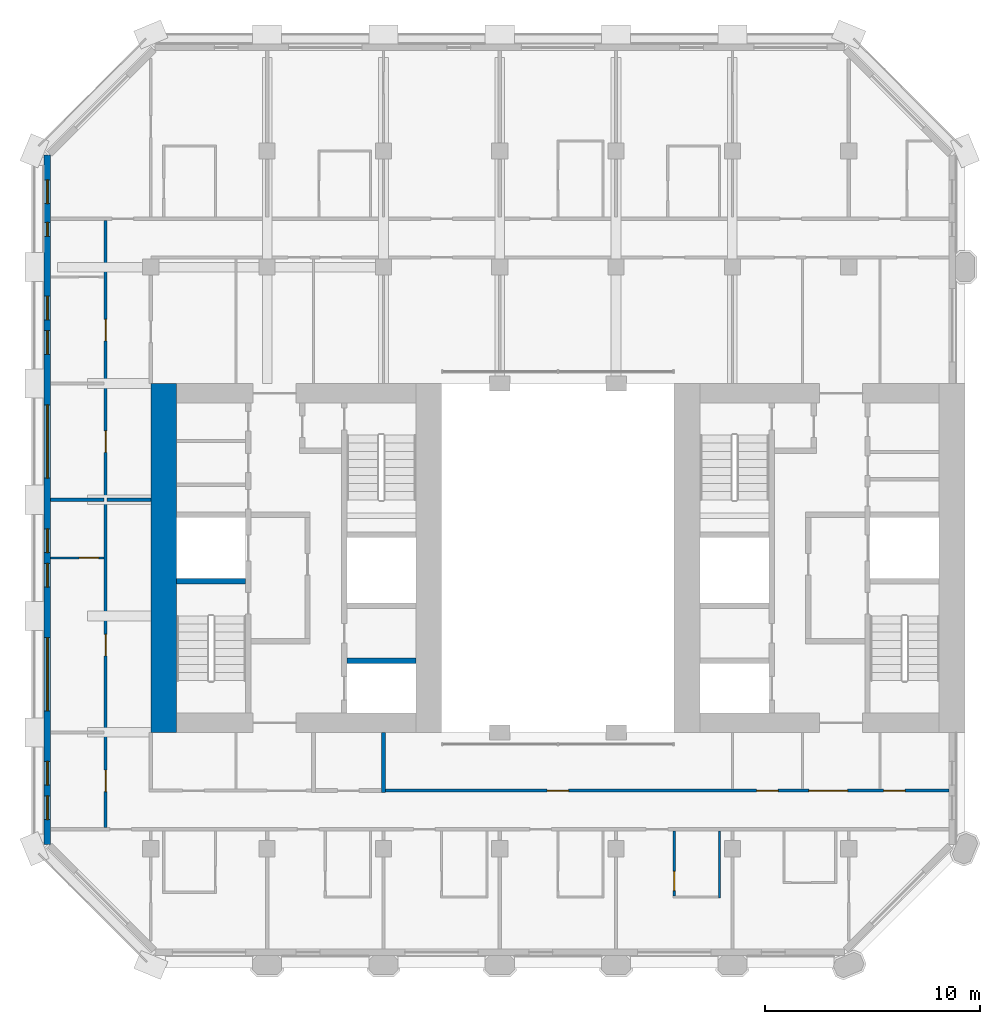
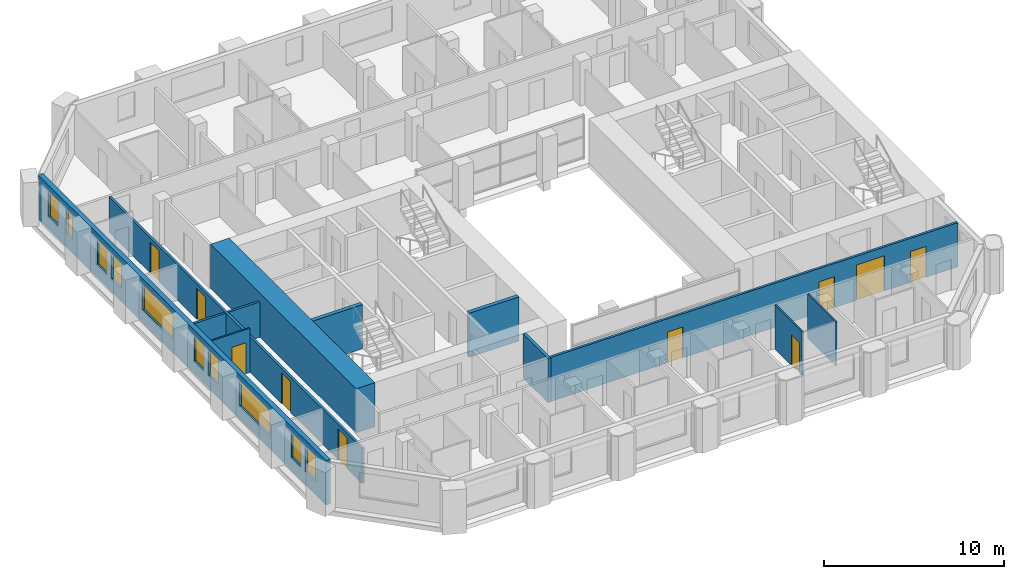
# One storey, part 7 of 14: 12 walls, 10 doors, 10 windows, 20 openings.
"""IFC4 building model written with IfcOpenShell, lengths in metres."""

from ifc_helpers import new_model, si_unit, direction, frame, frame_2d, origin, place, context, subcontext, project, spatial, rectangle, extrude, material, layer, layer_set, type_object, element, fill, save


model = new_model("IFC4")

# Units and contexts
model_context = context("Model", 3, precision=1e-05, world=origin(), true_north=direction((0.0, 1.0)))
body_context = subcontext(model_context, "Body", "Model", "MODEL_VIEW")
ifc_project = project(units=[si_unit("LENGTHUNIT", "METRE"), si_unit("AREAUNIT", "SQUARE_METRE"), si_unit("VOLUMEUNIT", "CUBIC_METRE"), si_unit("PLANEANGLEUNIT", "RADIAN"), si_unit("MASSUNIT", "GRAM", prefix="KILO")], contexts=[model_context])

# Site, building, storey
site_placement = place(None, origin())
site = spatial("IfcSite", under=ifc_project, at=site_placement, CompositionType="ELEMENT")
building_placement = place(site_placement, origin())
building = spatial("IfcBuilding", under=site, at=building_placement, Name="Tabaq Tower and Sports Hall", CompositionType="ELEMENT")
storey_placement = place(building_placement, frame((0.0, 0.0, 213.699951171875)))
storey = spatial("IfcBuildingStorey", under=building, at=storey_placement, Name="L53", CompositionType="ELEMENT", Elevation=213.699951171875)

# Walls
ifc_material_1 = material(Name="Concrete C50/60", Category="concrete")
ifc_layer_1 = layer(ifc_material_1, 1.199951171875)
ifc_layer_set_1 = layer_set([ifc_layer_1], Name="Core wall 1200 Concrete C50/60")
wall_type_1 = type_object("IfcWallType", Name="Core wall 1200 Concrete C50/60", PredefinedType="SOLIDWALL", material=ifc_layer_set_1)
wall_1_placement = place(storey_placement, frame((6.0, 16.199951171875, 0.0), z_axis=(0.0, 0.0, 1.0), x_axis=(0.0, 1.0, 0.0)))
element("IfcWall", 1, at=wall_1_placement, inside=storey, type_object=wall_type_1, Name="Core wall W L53", PredefinedType="SOLIDWALL", context=body_context, shape_type="SweptSolid", body=[
    extrude(rectangle(XDim=16.199951171875, YDim=1.199951171875, at=frame_2d((8.10009765625, 0.0))), origin(), (0.0, 0.0, 1.0), 3.0),
])
ifc_material_2 = material(Name="Blockwork", Category="masonry")
ifc_layer_2 = layer(ifc_material_2, 0.199951171875)
ifc_layer_set_2 = layer_set([ifc_layer_2], Name="Fire compartment wall 200 Blockwork")
wall_type_2 = type_object("IfcWallType", Name="Fire compartment wall 200 Blockwork", PredefinedType="PARTITIONING", material=ifc_layer_set_2)
wall_2_placement = place(storey_placement, frame((16.199951171875, 16.199951171875, 0.0), z_axis=(0.0, 0.0, 1.0), x_axis=(0.0, -1.0, 0.0)))
element("IfcWall", 2, at=wall_2_placement, inside=storey, type_object=wall_type_2, Name="Compartment wall L53", PredefinedType="PARTITIONING", context=body_context, shape_type="SweptSolid", body=[
    extrude(rectangle(XDim=2.800048828125, YDim=0.199951171875, at=frame_2d((1.39990234375, 0.0))), origin(), (0.0, 0.0, 1.0), 3.0),
])
ifc_material_3 = material(Name="Gypsum board on steel studs", Category="steel")
ifc_layer_3 = layer(ifc_material_3, 0.10009765625)
ifc_layer_set_3 = layer_set([ifc_layer_3], Name="Partition 100 Gypsum board")
wall_type_3 = type_object("IfcWallType", Name="Partition 100 Gypsum board", PredefinedType="PARTITIONING", material=ifc_layer_set_3)
wall_3_placement = place(storey_placement, frame((31.800048828125, 11.625, 0.0), z_axis=(0.0, 0.0, 1.0), x_axis=(0.0, -1.0, 0.0)))
element("IfcWall", 3, at=wall_3_placement, inside=storey, type_object=wall_type_3, Name="Partition wall L53", PredefinedType="PARTITIONING", context=body_context, shape_type="SweptSolid", body=[
    extrude(rectangle(XDim=3.125, YDim=0.10009765625, at=frame_2d((1.5625, 0.0))), origin(), (0.0, 0.0, 1.0), 3.0),
])

# Wall, opening, door
wall_4_placement = place(storey_placement, frame((29.699951171875, 8.60009765625, 0.0), z_axis=(0.0, 0.0, 1.0), x_axis=(0.0, 1.0, 0.0)))
wall_4 = element("IfcWall", 4, at=wall_4_placement, inside=storey, type_object=wall_type_3, Name="Partition wall L53", PredefinedType="PARTITIONING", context=body_context, shape_type="SweptSolid", body=[
    extrude(rectangle(XDim=3.02490234375, YDim=0.10009765625, at=frame_2d((1.512451171875, 0.0))), origin(), (0.0, 0.0, 1.0), 3.0),
])
opening_1_placement = place(wall_4_placement, frame((0.25, 0.0, 0.0)))
opening_1 = element("IfcOpeningElement", 5, at=opening_1_placement, cuts=wall_4, Name="Opening L53-016", PredefinedType="OPENING", context=body_context, shape_type="SweptSolid", body=[
    extrude(rectangle(XDim=0.89990234375, YDim=2.10009765625, at=frame_2d((0.449951171875, 1.050048828125))), frame((0.0, 0.050048828125, 0.0), z_axis=(0.0, -1.0, 0.0), x_axis=(1.0, 0.0, 0.0)), (0.0, 0.0, 1.0), 0.10009765625),
])
ifc_material_4 = material(Name="Timber leaf in steel frame", Category="steel")
door_type_1 = type_object("IfcDoorType", Name="Internal door 900 right hand", OperationType="SINGLE_SWING_RIGHT", PredefinedType="DOOR", material=ifc_material_4)
door_1_placement = place(opening_1_placement, origin())
door_1 = element("IfcDoor", 6, at=door_1_placement, inside=storey, type_object=door_type_1, Name="Internal door L53-016", OperationType="SINGLE_SWING_RIGHT", OverallHeight=2.10009765625, OverallWidth=0.89990234375, PredefinedType="DOOR", context=body_context, shape_type="SweptSolid", body=[
    extrude(rectangle(XDim=0.89990234375, YDim=2.10009765625, at=frame_2d((0.449951171875, 1.050048828125))), frame((0.0, 0.02490234375, 0.0), z_axis=(0.0, -1.0, 0.0), x_axis=(1.0, 0.0, 0.0)), (0.0, 0.0, 1.0), 0.050048828125),
])
fill(opening_1, door_1)

wall_5_placement = place(storey_placement, frame((3.22509765625, 24.300048828125, 0.0), z_axis=(0.0, 0.0, 1.0), x_axis=(-1.0, 0.0, 0.0)))
wall_5 = element("IfcWall", 7, at=wall_5_placement, inside=storey, type_object=wall_type_3, Name="Partition wall L53", PredefinedType="PARTITIONING", context=body_context, shape_type="SweptSolid", body=[
    extrude(rectangle(XDim=2.47412109375, YDim=0.10009765625, at=frame_2d((1.237060546875, 0.0))), origin(), (0.0, 0.0, 1.0), 3.0),
])
opening_2_placement = place(wall_5_placement, frame((0.25, 0.0, 0.0)))
opening_2 = element("IfcOpeningElement", 8, at=opening_2_placement, cuts=wall_5, Name="Opening L53-022", PredefinedType="OPENING", context=body_context, shape_type="SweptSolid", body=[
    extrude(rectangle(XDim=0.89990234375, YDim=2.10009765625, at=frame_2d((0.449951171875, 1.050048828125))), frame((0.0, 0.050048828125, 0.0), z_axis=(0.0, -1.0, 0.0), x_axis=(1.0, 0.0, 0.0)), (0.0, 0.0, 1.0), 0.10009765625),
])
ifc_material_5 = material(Name="Timber leaf in steel frame", Category="steel")
door_type_2 = type_object("IfcDoorType", Name="Internal door 900 left hand", OperationType="SINGLE_SWING_LEFT", PredefinedType="DOOR", material=ifc_material_5)
door_2_placement = place(opening_2_placement, origin())
door_2 = element("IfcDoor", 9, at=door_2_placement, inside=storey, type_object=door_type_2, Name="Internal door L53-022", OperationType="SINGLE_SWING_LEFT", OverallHeight=2.10009765625, OverallWidth=0.89990234375, PredefinedType="DOOR", context=body_context, shape_type="SweptSolid", body=[
    extrude(rectangle(XDim=0.89990234375, YDim=2.10009765625, at=frame_2d((0.449951171875, 1.050048828125))), frame((0.0, 0.02490234375, 0.0), z_axis=(0.0, -1.0, 0.0), x_axis=(1.0, 0.0, 0.0)), (0.0, 0.0, 1.0), 0.050048828125),
])
fill(opening_2, door_2)

# Walls
ifc_material_6 = material(Name="Blockwork", Category="masonry")
ifc_layer_4 = layer(ifc_material_6, 0.14990234375)
ifc_layer_set_4 = layer_set([ifc_layer_4], Name="Separating wall 150 Blockwork")
wall_type_4 = type_object("IfcWallType", Name="Separating wall 150 Blockwork", PredefinedType="PARTITIONING", material=ifc_layer_set_4)
wall_6_placement = place(storey_placement, frame((0.7509765625, 27.0, 0.0), z_axis=(0.0, 0.0, 1.0), x_axis=(1.0, 0.0, 0.0)))
element("IfcWall", 10, at=wall_6_placement, inside=storey, type_object=wall_type_4, Name="Separating wall L53", PredefinedType="PARTITIONING", context=body_context, shape_type="SweptSolid", body=[
    extrude(rectangle(XDim=2.47412109375, YDim=0.14990234375, at=frame_2d((1.237060546875, 0.0))), origin(), (0.0, 0.0, 1.0), 2.400146484375),
])
wall_7_placement = place(storey_placement, frame((3.375, 27.0, 0.0), z_axis=(0.0, 0.0, 1.0), x_axis=(1.0, 0.0, 0.0)))
element("IfcWall", 11, at=wall_7_placement, inside=storey, type_object=wall_type_4, Name="Separating wall L53", PredefinedType="PARTITIONING", context=body_context, shape_type="SweptSolid", body=[
    extrude(rectangle(XDim=2.02490234375, YDim=0.14990234375, at=frame_2d((1.012451171875, 0.0))), origin(), (0.0, 0.0, 1.0), 2.400146484375),
])

# Wall, openings, doors
wall_8_placement = place(storey_placement, frame((3.300048828125, 11.77490234375, 0.0), z_axis=(0.0, 0.0, 1.0), x_axis=(0.0, 1.0, 0.0)))
wall_8 = element("IfcWall", 12, at=wall_8_placement, inside=storey, type_object=wall_type_4, Name="Separating wall L53", PredefinedType="PARTITIONING", context=body_context, shape_type="SweptSolid", body=[
    extrude(rectangle(XDim=28.2001953125, YDim=0.14990234375, at=frame_2d((14.10009765625, 0.0))), origin(), (0.0, 0.0, 1.0), 2.400146484375),
])
opening_3_placement = place(wall_8_placement, frame((17.425048828125, 0.0, 0.0)))
opening_3 = element("IfcOpeningElement", 13, at=opening_3_placement, cuts=wall_8, Name="Opening L53-009", PredefinedType="OPENING", context=body_context, shape_type="SweptSolid", body=[
    extrude(rectangle(XDim=1.0, YDim=2.10009765625, at=frame_2d((0.5, 1.050048828125))), frame((0.0, 0.074951171875, 0.0), z_axis=(0.0, -1.0, 0.0), x_axis=(1.0, 0.0, 0.0)), (0.0, 0.0, 1.0), 0.14990234375),
])
opening_4_placement = place(wall_8_placement, frame((1.675048828125, 0.0, 0.0)))
opening_4 = element("IfcOpeningElement", 14, at=opening_4_placement, cuts=wall_8, Name="Opening L53-014", PredefinedType="OPENING", context=body_context, shape_type="SweptSolid", body=[
    extrude(rectangle(XDim=1.0, YDim=2.10009765625, at=frame_2d((0.5, 1.050048828125))), frame((0.0, 0.074951171875, 0.0), z_axis=(0.0, -1.0, 0.0), x_axis=(1.0, 0.0, 0.0)), (0.0, 0.0, 1.0), 0.14990234375),
])
opening_5_placement = place(wall_8_placement, frame((22.60009765625, 0.0, 0.0)))
opening_5 = element("IfcOpeningElement", 15, at=opening_5_placement, cuts=wall_8, Name="Opening L53-027", PredefinedType="OPENING", context=body_context, shape_type="SweptSolid", body=[
    extrude(rectangle(XDim=1.0, YDim=2.10009765625, at=frame_2d((0.5, 1.050048828125))), frame((0.0, 0.074951171875, 0.0), z_axis=(0.0, -1.0, 0.0), x_axis=(1.0, 0.0, 0.0)), (0.0, 0.0, 1.0), 0.14990234375),
])
opening_6_placement = place(wall_8_placement, frame((7.97509765625, 0.0, 0.0)))
opening_6 = element("IfcOpeningElement", 16, at=opening_6_placement, cuts=wall_8, Name="Opening L53-046", PredefinedType="OPENING", context=body_context, shape_type="SweptSolid", body=[
    extrude(rectangle(XDim=1.0, YDim=2.10009765625, at=frame_2d((0.5, 1.050048828125))), frame((0.0, 0.074951171875, 0.0), z_axis=(0.0, -1.0, 0.0), x_axis=(1.0, 0.0, 0.0)), (0.0, 0.0, 1.0), 0.14990234375),
])
ifc_material_7 = material(Name="Steel fire door", Category="steel")
door_type_3 = type_object("IfcDoorType", Name="Entrance door 1000 left hand", OperationType="SINGLE_SWING_LEFT", PredefinedType="DOOR", material=ifc_material_7)
door_3_placement = place(opening_5_placement, origin())
door_3 = element("IfcDoor", 17, at=door_3_placement, inside=storey, type_object=door_type_3, Name="Entrance door L53-027", OperationType="SINGLE_SWING_LEFT", OverallHeight=2.10009765625, OverallWidth=1.0, PredefinedType="DOOR", context=body_context, shape_type="SweptSolid", body=[
    extrude(rectangle(XDim=1.0, YDim=2.10009765625, at=frame_2d((0.5, 1.050048828125))), frame((0.0, 0.02490234375, 0.0), z_axis=(0.0, -1.0, 0.0), x_axis=(1.0, 0.0, 0.0)), (0.0, 0.0, 1.0), 0.050048828125),
])
fill(opening_5, door_3)
door_4_placement = place(opening_6_placement, origin())
door_4 = element("IfcDoor", 18, at=door_4_placement, inside=storey, type_object=door_type_3, Name="Entrance door L53-046", OperationType="SINGLE_SWING_LEFT", OverallHeight=2.10009765625, OverallWidth=1.0, PredefinedType="DOOR", context=body_context, shape_type="SweptSolid", body=[
    extrude(rectangle(XDim=1.0, YDim=2.10009765625, at=frame_2d((0.5, 1.050048828125))), frame((0.0, 0.02490234375, 0.0), z_axis=(0.0, -1.0, 0.0), x_axis=(1.0, 0.0, 0.0)), (0.0, 0.0, 1.0), 0.050048828125),
])
fill(opening_6, door_4)
ifc_material_8 = material(Name="Timber leaf in steel frame", Category="steel")
door_type_4 = type_object("IfcDoorType", Name="Internal door 1000 left hand", OperationType="SINGLE_SWING_LEFT", PredefinedType="DOOR", material=ifc_material_8)
door_5_placement = place(opening_4_placement, origin())
door_5 = element("IfcDoor", 19, at=door_5_placement, inside=storey, type_object=door_type_4, Name="Internal door L53-014", OperationType="SINGLE_SWING_LEFT", OverallHeight=2.10009765625, OverallWidth=1.0, PredefinedType="DOOR", context=body_context, shape_type="SweptSolid", body=[
    extrude(rectangle(XDim=1.0, YDim=2.10009765625, at=frame_2d((0.5, 1.050048828125))), frame((0.0, 0.02490234375, 0.0), z_axis=(0.0, -1.0, 0.0), x_axis=(1.0, 0.0, 0.0)), (0.0, 0.0, 1.0), 0.050048828125),
])
fill(opening_4, door_5)
ifc_material_9 = material(Name="Timber leaf in steel frame", Category="steel")
door_type_5 = type_object("IfcDoorType", Name="Internal door 1000 right hand", OperationType="SINGLE_SWING_RIGHT", PredefinedType="DOOR", material=ifc_material_9)
door_6_placement = place(opening_3_placement, origin())
door_6 = element("IfcDoor", 20, at=door_6_placement, inside=storey, type_object=door_type_5, Name="Internal door L53-009", OperationType="SINGLE_SWING_RIGHT", OverallHeight=2.10009765625, OverallWidth=1.0, PredefinedType="DOOR", context=body_context, shape_type="SweptSolid", body=[
    extrude(rectangle(XDim=1.0, YDim=2.10009765625, at=frame_2d((0.5, 1.050048828125))), frame((0.0, 0.02490234375, 0.0), z_axis=(0.0, -1.0, 0.0), x_axis=(1.0, 0.0, 0.0)), (0.0, 0.0, 1.0), 0.050048828125),
])
fill(opening_3, door_6)

wall_9_placement = place(storey_placement, frame((16.300048828125, 13.5, 0.0), z_axis=(0.0, 0.0, 1.0), x_axis=(1.0, 0.0, 0.0)))
wall_9 = element("IfcWall", 21, at=wall_9_placement, inside=storey, type_object=wall_type_4, Name="Separating wall L53", PredefinedType="PARTITIONING", context=body_context, shape_type="SweptSolid", body=[
    extrude(rectangle(XDim=26.14892578125, YDim=0.14990234375, at=frame_2d((13.074462890625, 0.0))), origin(), (0.0, 0.0, 1.0), 3.0),
])
opening_7_placement = place(wall_9_placement, frame((7.5, 0.0, 0.0)))
opening_7 = element("IfcOpeningElement", 22, at=opening_7_placement, cuts=wall_9, Name="Opening L53-021", PredefinedType="OPENING", context=body_context, shape_type="SweptSolid", body=[
    extrude(rectangle(XDim=1.0, YDim=2.10009765625, at=frame_2d((0.5, 1.050048828125))), frame((0.0, 0.074951171875, 0.0), z_axis=(0.0, -1.0, 0.0), x_axis=(1.0, 0.0, 0.0)), (0.0, 0.0, 1.0), 0.14990234375),
])
opening_8_placement = place(wall_9_placement, frame((23.1201171875, 0.0, 0.0)))
opening_8 = element("IfcOpeningElement", 23, at=opening_8_placement, cuts=wall_9, Name="Opening L53-023", PredefinedType="OPENING", context=body_context, shape_type="SweptSolid", body=[
    extrude(rectangle(XDim=1.0, YDim=2.10009765625, at=frame_2d((0.5, 1.050048828125))), frame((0.0, 0.074951171875, 0.0), z_axis=(0.0, -1.0, 0.0), x_axis=(1.0, 0.0, 0.0)), (0.0, 0.0, 1.0), 0.14990234375),
])
opening_9_placement = place(wall_9_placement, frame((17.22509765625, 0.0, 0.0)))
opening_9 = element("IfcOpeningElement", 24, at=opening_9_placement, cuts=wall_9, Name="Opening L53-026", PredefinedType="OPENING", context=body_context, shape_type="SweptSolid", body=[
    extrude(rectangle(XDim=1.0, YDim=2.10009765625, at=frame_2d((0.5, 1.050048828125))), frame((0.0, 0.074951171875, 0.0), z_axis=(0.0, -1.0, 0.0), x_axis=(1.0, 0.0, 0.0)), (0.0, 0.0, 1.0), 0.14990234375),
])
opening_10_placement = place(wall_9_placement, frame((19.64990234375, 0.0, 0.0)))
opening_10 = element("IfcOpeningElement", 25, at=opening_10_placement, cuts=wall_9, Name="Opening L53-047", PredefinedType="OPENING", context=body_context, shape_type="SweptSolid", body=[
    extrude(rectangle(XDim=1.800048828125, YDim=2.39990234375, at=frame_2d((0.89990234375, 1.199951171875))), frame((0.0, 0.074951171875, 0.0), z_axis=(0.0, -1.0, 0.0), x_axis=(1.0, 0.0, 0.0)), (0.0, 0.0, 1.0), 0.14990234375),
])
door_7_placement = place(opening_7_placement, origin())
door_7 = element("IfcDoor", 26, at=door_7_placement, inside=storey, type_object=door_type_4, Name="Internal door L53-021", OperationType="SINGLE_SWING_LEFT", OverallHeight=2.10009765625, OverallWidth=1.0, PredefinedType="DOOR", context=body_context, shape_type="SweptSolid", body=[
    extrude(rectangle(XDim=1.0, YDim=2.10009765625, at=frame_2d((0.5, 1.050048828125))), frame((0.0, 0.02490234375, 0.0), z_axis=(0.0, -1.0, 0.0), x_axis=(1.0, 0.0, 0.0)), (0.0, 0.0, 1.0), 0.050048828125),
])
fill(opening_7, door_7)
door_8_placement = place(opening_9_placement, origin())
door_8 = element("IfcDoor", 27, at=door_8_placement, inside=storey, type_object=door_type_4, Name="Internal door L53-026", OperationType="SINGLE_SWING_LEFT", OverallHeight=2.10009765625, OverallWidth=1.0, PredefinedType="DOOR", context=body_context, shape_type="SweptSolid", body=[
    extrude(rectangle(XDim=1.0, YDim=2.10009765625, at=frame_2d((0.5, 1.050048828125))), frame((0.0, 0.02490234375, 0.0), z_axis=(0.0, -1.0, 0.0), x_axis=(1.0, 0.0, 0.0)), (0.0, 0.0, 1.0), 0.050048828125),
])
fill(opening_9, door_8)
door_9_placement = place(opening_8_placement, origin())
door_9 = element("IfcDoor", 28, at=door_9_placement, inside=storey, type_object=door_type_5, Name="Internal door L53-023", OperationType="SINGLE_SWING_RIGHT", OverallHeight=2.10009765625, OverallWidth=1.0, PredefinedType="DOOR", context=body_context, shape_type="SweptSolid", body=[
    extrude(rectangle(XDim=1.0, YDim=2.10009765625, at=frame_2d((0.5, 1.050048828125))), frame((0.0, 0.02490234375, 0.0), z_axis=(0.0, -1.0, 0.0), x_axis=(1.0, 0.0, 0.0)), (0.0, 0.0, 1.0), 0.050048828125),
])
fill(opening_8, door_9)
ifc_material_10 = material(Name="Timber leaf in steel frame", Category="steel")
door_type_6 = type_object("IfcDoorType", Name="Internal door 1800", OperationType="DOUBLE_DOOR_SINGLE_SWING", PredefinedType="DOOR", material=ifc_material_10)
door_10_placement = place(opening_10_placement, origin())
door_10 = element("IfcDoor", 29, at=door_10_placement, inside=storey, type_object=door_type_6, Name="Internal door L53-047", OperationType="DOUBLE_DOOR_SINGLE_SWING", OverallHeight=2.39990234375, OverallWidth=1.800048828125, PredefinedType="DOOR", context=body_context, shape_type="SweptSolid", body=[
    extrude(rectangle(XDim=1.800048828125, YDim=2.39990234375, at=frame_2d((0.89990234375, 1.199951171875))), frame((0.0, 0.02490234375, 0.0), z_axis=(0.0, -1.0, 0.0), x_axis=(1.0, 0.0, 0.0)), (0.0, 0.0, 1.0), 0.050048828125),
])
fill(opening_10, door_10)

# Walls
ifc_material_11 = material(Name="Concrete C40/50", Category="concrete")
ifc_layer_5 = layer(ifc_material_11, 0.25)
ifc_layer_set_5 = layer_set([ifc_layer_5], Name="Shaft and stair wall 250 Concrete C40/50")
wall_type_5 = type_object("IfcWallType", Name="Shaft and stair wall 250 Concrete C40/50", PredefinedType="SOLIDWALL", material=ifc_layer_set_5)
for number, where, z_axis, x_axis, name in (
    (30, (6.60009765625, 23.22509765625, 0.0), (0.0, 0.0, 1.0), (1.0, 0.0, 0.0), "Stair enclosure wall W L53"),
    (31, (14.5, 19.52490234375, 0.0), (0.0, 0.0, 1.0), (1.0, 0.0, 0.0), "Shaft wall W L53"),
):
    element("IfcWall", number, at=place(storey_placement, frame(where, z_axis=z_axis, x_axis=x_axis)), inside=storey, type_object=wall_type_5, Name=name, PredefinedType="SOLIDWALL", context=body_context, shape_type="SweptSolid", body=[
        extrude(rectangle(XDim=3.199951171875, YDim=0.25, at=frame_2d((1.60009765625, 0.0))), origin(), (0.0, 0.0, 1.0), 3.0),
    ])

# Wall, openings, windows
ifc_material_12 = material(Name="White precast concrete C60/75", Category="concrete")
ifc_layer_6 = layer(ifc_material_12, 0.300048828125)
ifc_layer_set_6 = layer_set([ifc_layer_6], Name="White precast concrete C60/75 external wall 300")
wall_type_6 = type_object("IfcWallType", Name="White precast concrete C60/75 external wall 300", PredefinedType="SOLIDWALL", material=ifc_layer_set_6)
wall_10_placement = place(storey_placement, frame((0.60009765625, 43.013671875, 0.0), z_axis=(0.0, 0.0, 1.0), x_axis=(0.0, -1.0, 0.0)))
wall_10 = element("IfcWall", 32, at=wall_10_placement, inside=storey, type_object=wall_type_6, Name="External Wall L53 W", PredefinedType="SOLIDWALL", context=body_context, shape_type="SweptSolid", body=[
    extrude(rectangle(XDim=32.02734375, YDim=0.300048828125, at=frame_2d((16.013671875, 0.0))), origin(), (0.0, 0.0, 1.0), 3.0),
])
opening_11_placement = place(wall_10_placement, frame((1.16357421875, 0.0, 0.89990234375)))
opening_11 = element("IfcOpeningElement", 33, at=opening_11_placement, cuts=wall_10, Name="Opening W1B", PredefinedType="OPENING", context=body_context, shape_type="SweptSolid", body=[
    extrude(rectangle(XDim=1.10009765625, YDim=1.699951171875, at=frame_2d((0.550048828125, 0.85009765625))), frame((0.0, 0.16015625, 0.0), z_axis=(0.0, -1.0, 0.0), x_axis=(1.0, 0.0, 0.0)), (0.0, 0.0, 1.0), 0.320068359375),
])
opening_12_placement = place(wall_10_placement, frame((3.138671875, 0.0, 0.89990234375)))
opening_12 = element("IfcOpeningElement", 34, at=opening_12_placement, cuts=wall_10, Name="Opening W1C", PredefinedType="OPENING", context=body_context, shape_type="SweptSolid", body=[
    extrude(rectangle(XDim=0.64990234375, YDim=1.699951171875, at=frame_2d((0.324951171875, 0.85009765625))), frame((0.0, 0.16015625, 0.0), z_axis=(0.0, -1.0, 0.0), x_axis=(1.0, 0.0, 0.0)), (0.0, 0.0, 1.0), 0.320068359375),
])
opening_13_placement = place(wall_10_placement, frame((6.563720703125, 0.0, 0.89990234375)))
opening_13 = element("IfcOpeningElement", 35, at=opening_13_placement, cuts=wall_10, Name="Opening W1B", PredefinedType="OPENING", context=body_context, shape_type="SweptSolid", body=[
    extrude(rectangle(XDim=1.10009765625, YDim=1.699951171875, at=frame_2d((0.550048828125, 0.85009765625))), frame((0.0, 0.16015625, 0.0), z_axis=(0.0, -1.0, 0.0), x_axis=(1.0, 0.0, 0.0)), (0.0, 0.0, 1.0), 0.320068359375),
])
opening_14_placement = place(wall_10_placement, frame((8.16357421875, 0.0, 0.89990234375)))
opening_14 = element("IfcOpeningElement", 36, at=opening_14_placement, cuts=wall_10, Name="Opening W1B", PredefinedType="OPENING", context=body_context, shape_type="SweptSolid", body=[
    extrude(rectangle(XDim=1.10009765625, YDim=1.699951171875, at=frame_2d((0.550048828125, 0.85009765625))), frame((0.0, 0.16015625, 0.0), z_axis=(0.0, -1.0, 0.0), x_axis=(1.0, 0.0, 0.0)), (0.0, 0.0, 1.0), 0.320068359375),
])
opening_15_placement = place(wall_10_placement, frame((11.613525390625, 0.0, 0.89990234375)))
opening_15 = element("IfcOpeningElement", 37, at=opening_15_placement, cuts=wall_10, Name="Opening W1A", PredefinedType="OPENING", context=body_context, shape_type="SweptSolid", body=[
    extrude(rectangle(XDim=3.39990234375, YDim=1.699951171875, at=frame_2d((1.699951171875, 0.85009765625))), frame((0.0, 0.16015625, 0.0), z_axis=(0.0, -1.0, 0.0), x_axis=(1.0, 0.0, 0.0)), (0.0, 0.0, 1.0), 0.320068359375),
])
opening_16_placement = place(wall_10_placement, frame((17.363525390625, 0.0, 0.89990234375)))
opening_16 = element("IfcOpeningElement", 38, at=opening_16_placement, cuts=wall_10, Name="Opening W1B", PredefinedType="OPENING", context=body_context, shape_type="SweptSolid", body=[
    extrude(rectangle(XDim=1.10009765625, YDim=1.699951171875, at=frame_2d((0.550048828125, 0.85009765625))), frame((0.0, 0.16015625, 0.0), z_axis=(0.0, -1.0, 0.0), x_axis=(1.0, 0.0, 0.0)), (0.0, 0.0, 1.0), 0.320068359375),
])
opening_17_placement = place(wall_10_placement, frame((18.963623046875, 0.0, 0.89990234375)))
opening_17 = element("IfcOpeningElement", 39, at=opening_17_placement, cuts=wall_10, Name="Opening W1B", PredefinedType="OPENING", context=body_context, shape_type="SweptSolid", body=[
    extrude(rectangle(XDim=1.10009765625, YDim=1.699951171875, at=frame_2d((0.550048828125, 0.85009765625))), frame((0.0, 0.16015625, 0.0), z_axis=(0.0, -1.0, 0.0), x_axis=(1.0, 0.0, 0.0)), (0.0, 0.0, 1.0), 0.320068359375),
])
opening_18_placement = place(wall_10_placement, frame((22.41357421875, 0.0, 0.89990234375)))
opening_18 = element("IfcOpeningElement", 40, at=opening_18_placement, cuts=wall_10, Name="Opening W1A", PredefinedType="OPENING", context=body_context, shape_type="SweptSolid", body=[
    extrude(rectangle(XDim=3.39990234375, YDim=1.699951171875, at=frame_2d((1.699951171875, 0.85009765625))), frame((0.0, 0.16015625, 0.0), z_axis=(0.0, -1.0, 0.0), x_axis=(1.0, 0.0, 0.0)), (0.0, 0.0, 1.0), 0.320068359375),
])
opening_19_placement = place(wall_10_placement, frame((28.16357421875, 0.0, 0.89990234375)))
opening_19 = element("IfcOpeningElement", 41, at=opening_19_placement, cuts=wall_10, Name="Opening W1B", PredefinedType="OPENING", context=body_context, shape_type="SweptSolid", body=[
    extrude(rectangle(XDim=1.10009765625, YDim=1.699951171875, at=frame_2d((0.550048828125, 0.85009765625))), frame((0.0, 0.16015625, 0.0), z_axis=(0.0, -1.0, 0.0), x_axis=(1.0, 0.0, 0.0)), (0.0, 0.0, 1.0), 0.320068359375),
])
opening_20_placement = place(wall_10_placement, frame((29.763671875, 0.0, 0.89990234375)))
opening_20 = element("IfcOpeningElement", 42, at=opening_20_placement, cuts=wall_10, Name="Opening W1B", PredefinedType="OPENING", context=body_context, shape_type="SweptSolid", body=[
    extrude(rectangle(XDim=1.10009765625, YDim=1.699951171875, at=frame_2d((0.550048828125, 0.85009765625))), frame((0.0, 0.16015625, 0.0), z_axis=(0.0, -1.0, 0.0), x_axis=(1.0, 0.0, 0.0)), (0.0, 0.0, 1.0), 0.320068359375),
])
ifc_material_13 = material(Name="Aluminium framed clear glazing", Category="aluminium")
window_type_1 = type_object("IfcWindowType", Name="Window W1A", PartitioningType="SINGLE_PANEL", PredefinedType="WINDOW", material=ifc_material_13)
window_1_placement = place(opening_15_placement, origin())
window_1 = element("IfcWindow", 43, at=window_1_placement, inside=storey, type_object=window_type_1, Name="Window W1A L53", OverallHeight=1.699951171875, OverallWidth=3.39990234375, PartitioningType="SINGLE_PANEL", PredefinedType="WINDOW", context=body_context, shape_type="SweptSolid", body=[
    extrude(rectangle(XDim=3.39990234375, YDim=1.699951171875, at=frame_2d((1.699951171875, 0.85009765625))), frame((0.0, 0.030029296875, 0.0), z_axis=(0.0, -1.0, 0.0), x_axis=(1.0, 0.0, 0.0)), (0.0, 0.0, 1.0), 0.06005859375),
])
fill(opening_15, window_1)
window_2_placement = place(opening_18_placement, origin())
window_2 = element("IfcWindow", 44, at=window_2_placement, inside=storey, type_object=window_type_1, Name="Window W1A L53", OverallHeight=1.699951171875, OverallWidth=3.39990234375, PartitioningType="SINGLE_PANEL", PredefinedType="WINDOW", context=body_context, shape_type="SweptSolid", body=[
    extrude(rectangle(XDim=3.39990234375, YDim=1.699951171875, at=frame_2d((1.699951171875, 0.85009765625))), frame((0.0, 0.030029296875, 0.0), z_axis=(0.0, -1.0, 0.0), x_axis=(1.0, 0.0, 0.0)), (0.0, 0.0, 1.0), 0.06005859375),
])
fill(opening_18, window_2)
ifc_material_14 = material(Name="Aluminium framed clear glazing", Category="aluminium")
window_type_2 = type_object("IfcWindowType", Name="Window W1B", PartitioningType="SINGLE_PANEL", PredefinedType="WINDOW", material=ifc_material_14)
window_3_placement = place(opening_11_placement, origin())
window_3 = element("IfcWindow", 45, at=window_3_placement, inside=storey, type_object=window_type_2, Name="Window W1B L53", OverallHeight=1.699951171875, OverallWidth=1.10009765625, PartitioningType="SINGLE_PANEL", PredefinedType="WINDOW", context=body_context, shape_type="SweptSolid", body=[
    extrude(rectangle(XDim=1.10009765625, YDim=1.699951171875, at=frame_2d((0.550048828125, 0.85009765625))), frame((0.0, 0.030029296875, 0.0), z_axis=(0.0, -1.0, 0.0), x_axis=(1.0, 0.0, 0.0)), (0.0, 0.0, 1.0), 0.06005859375),
])
fill(opening_11, window_3)
window_4_placement = place(opening_13_placement, origin())
window_4 = element("IfcWindow", 46, at=window_4_placement, inside=storey, type_object=window_type_2, Name="Window W1B L53", OverallHeight=1.699951171875, OverallWidth=1.10009765625, PartitioningType="SINGLE_PANEL", PredefinedType="WINDOW", context=body_context, shape_type="SweptSolid", body=[
    extrude(rectangle(XDim=1.10009765625, YDim=1.699951171875, at=frame_2d((0.550048828125, 0.85009765625))), frame((0.0, 0.030029296875, 0.0), z_axis=(0.0, -1.0, 0.0), x_axis=(1.0, 0.0, 0.0)), (0.0, 0.0, 1.0), 0.06005859375),
])
fill(opening_13, window_4)
window_5_placement = place(opening_14_placement, origin())
window_5 = element("IfcWindow", 47, at=window_5_placement, inside=storey, type_object=window_type_2, Name="Window W1B L53", OverallHeight=1.699951171875, OverallWidth=1.10009765625, PartitioningType="SINGLE_PANEL", PredefinedType="WINDOW", context=body_context, shape_type="SweptSolid", body=[
    extrude(rectangle(XDim=1.10009765625, YDim=1.699951171875, at=frame_2d((0.550048828125, 0.85009765625))), frame((0.0, 0.030029296875, 0.0), z_axis=(0.0, -1.0, 0.0), x_axis=(1.0, 0.0, 0.0)), (0.0, 0.0, 1.0), 0.06005859375),
])
fill(opening_14, window_5)
window_6_placement = place(opening_16_placement, origin())
window_6 = element("IfcWindow", 48, at=window_6_placement, inside=storey, type_object=window_type_2, Name="Window W1B L53", OverallHeight=1.699951171875, OverallWidth=1.10009765625, PartitioningType="SINGLE_PANEL", PredefinedType="WINDOW", context=body_context, shape_type="SweptSolid", body=[
    extrude(rectangle(XDim=1.10009765625, YDim=1.699951171875, at=frame_2d((0.550048828125, 0.85009765625))), frame((0.0, 0.030029296875, 0.0), z_axis=(0.0, -1.0, 0.0), x_axis=(1.0, 0.0, 0.0)), (0.0, 0.0, 1.0), 0.06005859375),
])
fill(opening_16, window_6)
window_7_placement = place(opening_17_placement, origin())
window_7 = element("IfcWindow", 49, at=window_7_placement, inside=storey, type_object=window_type_2, Name="Window W1B L53", OverallHeight=1.699951171875, OverallWidth=1.10009765625, PartitioningType="SINGLE_PANEL", PredefinedType="WINDOW", context=body_context, shape_type="SweptSolid", body=[
    extrude(rectangle(XDim=1.10009765625, YDim=1.699951171875, at=frame_2d((0.550048828125, 0.85009765625))), frame((0.0, 0.030029296875, 0.0), z_axis=(0.0, -1.0, 0.0), x_axis=(1.0, 0.0, 0.0)), (0.0, 0.0, 1.0), 0.06005859375),
])
fill(opening_17, window_7)
window_8_placement = place(opening_19_placement, origin())
window_8 = element("IfcWindow", 50, at=window_8_placement, inside=storey, type_object=window_type_2, Name="Window W1B L53", OverallHeight=1.699951171875, OverallWidth=1.10009765625, PartitioningType="SINGLE_PANEL", PredefinedType="WINDOW", context=body_context, shape_type="SweptSolid", body=[
    extrude(rectangle(XDim=1.10009765625, YDim=1.699951171875, at=frame_2d((0.550048828125, 0.85009765625))), frame((0.0, 0.030029296875, 0.0), z_axis=(0.0, -1.0, 0.0), x_axis=(1.0, 0.0, 0.0)), (0.0, 0.0, 1.0), 0.06005859375),
])
fill(opening_19, window_8)
window_9_placement = place(opening_20_placement, origin())
window_9 = element("IfcWindow", 51, at=window_9_placement, inside=storey, type_object=window_type_2, Name="Window W1B L53", OverallHeight=1.699951171875, OverallWidth=1.10009765625, PartitioningType="SINGLE_PANEL", PredefinedType="WINDOW", context=body_context, shape_type="SweptSolid", body=[
    extrude(rectangle(XDim=1.10009765625, YDim=1.699951171875, at=frame_2d((0.550048828125, 0.85009765625))), frame((0.0, 0.030029296875, 0.0), z_axis=(0.0, -1.0, 0.0), x_axis=(1.0, 0.0, 0.0)), (0.0, 0.0, 1.0), 0.06005859375),
])
fill(opening_20, window_9)
ifc_material_15 = material(Name="Aluminium framed clear glazing", Category="aluminium")
window_type_3 = type_object("IfcWindowType", Name="Window W1C", PartitioningType="SINGLE_PANEL", PredefinedType="WINDOW", material=ifc_material_15)
window_10_placement = place(opening_12_placement, origin())
window_10 = element("IfcWindow", 52, at=window_10_placement, inside=storey, type_object=window_type_3, Name="Window W1C L53", OverallHeight=1.699951171875, OverallWidth=0.64990234375, PartitioningType="SINGLE_PANEL", PredefinedType="WINDOW", context=body_context, shape_type="SweptSolid", body=[
    extrude(rectangle(XDim=0.64990234375, YDim=1.699951171875, at=frame_2d((0.324951171875, 0.85009765625))), frame((0.0, 0.030029296875, 0.0), z_axis=(0.0, -1.0, 0.0), x_axis=(1.0, 0.0, 0.0)), (0.0, 0.0, 1.0), 0.06005859375),
])
fill(opening_12, window_10)

save(model, "model.ifc")
